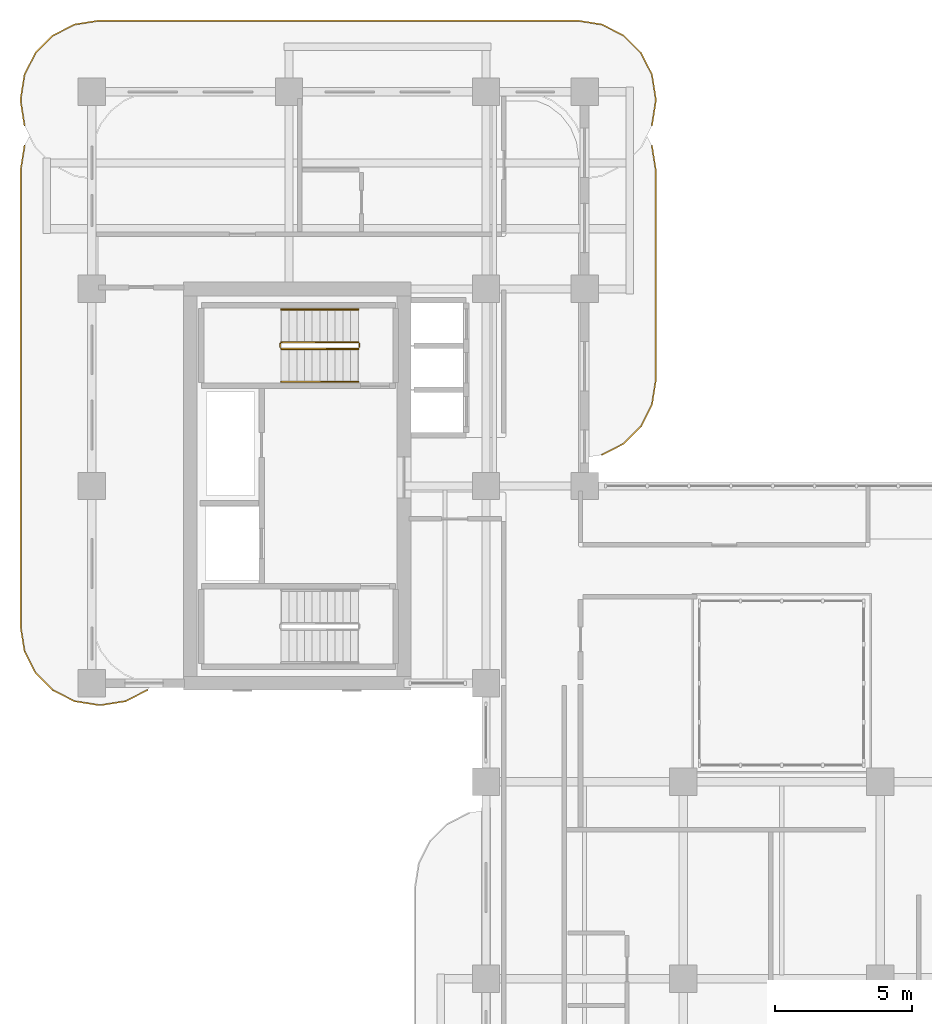
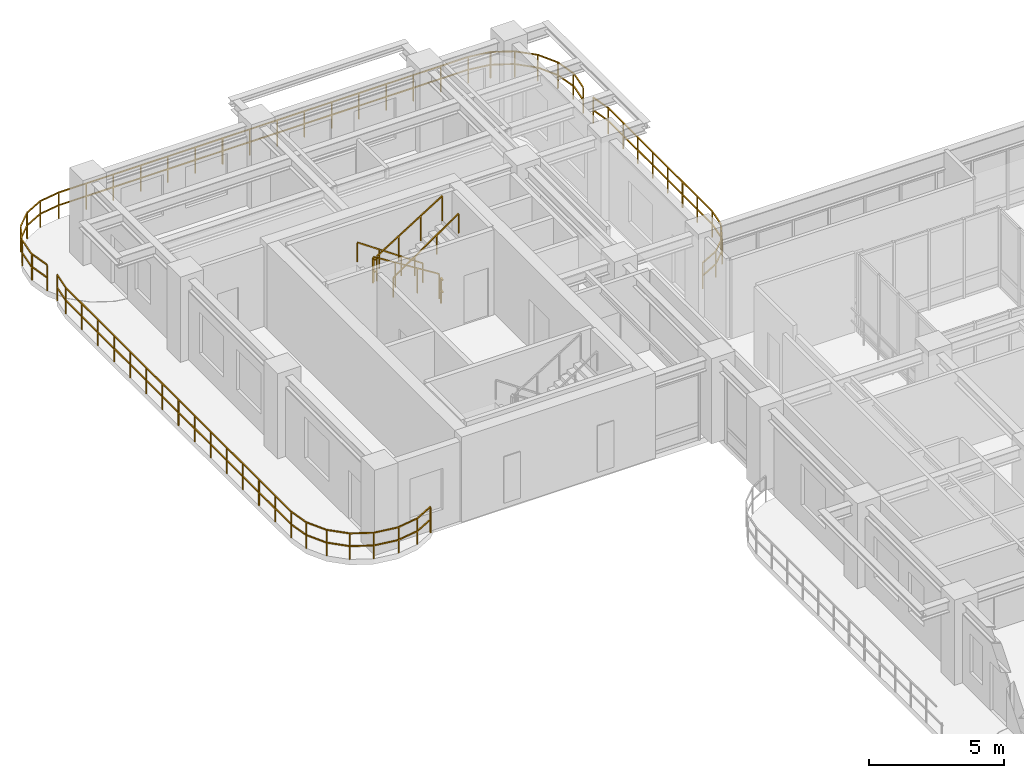
# One storey, part 21 of 21: 9 railings.
"""IFC4 building model written with IfcOpenShell, lengths in metres."""

from ifc_helpers import new_model, si_unit, derived_unit, direction, frame, origin, origin_2d, place, context, subcontext, project, spatial, rectangle, extrude, material, type_object, element, save


model = new_model("IFC4")

# Units and contexts
model_context = context("Model", 3, precision=1e-05, world=origin(), true_north=direction((0.0, 1.0)))
body_context = subcontext(model_context, "Body", "Model", "MODEL_VIEW")
ifc_project = project(units=[si_unit("LENGTHUNIT", "METRE"), si_unit("AREAUNIT", "SQUARE_METRE"), si_unit("VOLUMEUNIT", "CUBIC_METRE"), si_unit("PLANEANGLEUNIT", "RADIAN"), si_unit("MASSUNIT", "GRAM", prefix="KILO"), si_unit("THERMODYNAMICTEMPERATUREUNIT", "KELVIN"), si_unit("POWERUNIT", "WATT"), derived_unit("THERMALTRANSMITTANCEUNIT", [(si_unit("POWERUNIT", "WATT"), 1), (si_unit("AREAUNIT", "SQUARE_METRE"), -1), (si_unit("THERMODYNAMICTEMPERATUREUNIT", "KELVIN"), -1)])], contexts=[model_context])

# Site, building, storey
site_placement = place(None, origin())
site = spatial("IfcSite", under=ifc_project, at=site_placement, CompositionType="ELEMENT")
building_placement = place(site_placement, origin())
building = spatial("IfcBuilding", under=site, at=building_placement, Name="Zahravan Archway Hotel and Residences", CompositionType="ELEMENT")
storey_placement = place(building_placement, frame((0.0, 0.0, 169.550048828125)))
storey = spatial("IfcBuildingStorey", under=building, at=storey_placement, Name="L42", CompositionType="ELEMENT", Elevation=169.550048828125)

# Railings
ifc_material_1 = material(Name="Bronze & Laminated Glass Balustrade", Category="glass")
railing_type_1 = type_object("IfcRailingType", Name="RL-BAL-1200", PredefinedType="BALUSTRADE", material=ifc_material_1)
railing_1_placement = place(storey_placement, frame((-2.46044921875, 45.5693359375, 0.0)))
element("IfcRailing", 1, at=railing_1_placement, inside=storey, type_object=railing_type_1, Name="L42 Balustrade RL-SLB-BAL-L42-NB-1", PredefinedType="BALUSTRADE", context=body_context, shape_type="SweptSolid", body=[
    extrude(rectangle(XDim=0.048095703125, YDim=0.048095703125, at=origin_2d()), frame((0.0, 0.0, 1.17578125), z_axis=(-0.156623399917, 0.987658397726, 0.0), x_axis=(-0.987658397726, -0.156623399917, 0.0)), (0.0, 0.0, 1.0), 0.8916015625),
    extrude(rectangle(XDim=0.048095703125, YDim=0.048095703125, at=origin_2d()), frame((0.0, 0.0, 0.60009765625), z_axis=(-0.156623399917, 0.987658397726, 0.0), x_axis=(-0.987658397726, -0.156623399917, 0.0)), (0.0, 0.0, 1.0), 0.8916015625),
    extrude(rectangle(XDim=0.048095703125, YDim=0.048095703125, at=origin_2d()), frame((-0.1396484375, 0.880615234375, 1.17578125), z_axis=(0.0, 1.0, 0.0), x_axis=(-1.0, 0.0, 0.0)), (0.0, 0.0, 1.0), 0.10009765625),
    extrude(rectangle(XDim=0.048095703125, YDim=0.048095703125, at=origin_2d()), frame((-0.1396484375, 0.880615234375, 0.60009765625), z_axis=(0.0, 1.0, 0.0), x_axis=(-1.0, 0.0, 0.0)), (0.0, 0.0, 1.0), 0.10009765625),
    extrude(rectangle(XDim=0.048095703125, YDim=0.048095703125, at=origin_2d()), frame((-0.1396484375, 0.980712890625, 1.17578125), z_axis=(0.156623399917, 0.987658397726, 0.0), x_axis=(-0.987658397726, 0.156623399917, 0.0)), (0.0, 0.0, 1.0), 0.8916015625),
    extrude(rectangle(XDim=0.048095703125, YDim=0.048095703125, at=origin_2d()), frame((-0.1396484375, 0.980712890625, 0.60009765625), z_axis=(0.156623399917, 0.987658397726, 0.0), x_axis=(-0.987658397726, 0.156623399917, 0.0)), (0.0, 0.0, 1.0), 0.8916015625),
    extrude(rectangle(XDim=0.048095703125, YDim=0.048095703125, at=origin_2d()), frame((0.0, 1.861328125, 1.17578125), z_axis=(0.453991409995, 0.891006060389, 0.0), x_axis=(-0.891006060389, 0.453991409995, 0.0)), (0.0, 0.0, 1.0), 0.8916015625),
    extrude(rectangle(XDim=0.048095703125, YDim=0.048095703125, at=origin_2d()), frame((0.0, 1.861328125, 0.60009765625), z_axis=(0.453991409995, 0.891006060389, 0.0), x_axis=(-0.891006060389, 0.453991409995, 0.0)), (0.0, 0.0, 1.0), 0.8916015625),
    extrude(rectangle(XDim=0.048095703125, YDim=0.048095703125, at=origin_2d()), frame((0.40478515625, 2.65576171875, 1.17578125), z_axis=(0.706969864397, 0.70724367147, 0.0), x_axis=(-0.70724367147, 0.706969864397, 0.0)), (0.0, 0.0, 1.0), 0.8916015625),
    extrude(rectangle(XDim=0.048095703125, YDim=0.048095703125, at=origin_2d()), frame((0.40478515625, 2.65576171875, 0.60009765625), z_axis=(0.706969864397, 0.70724367147, 0.0), x_axis=(-0.70724367147, 0.706969864397, 0.0)), (0.0, 0.0, 1.0), 0.8916015625),
    extrude(rectangle(XDim=0.048095703125, YDim=0.048095703125, at=origin_2d()), frame((1.03515625, 3.286376953125, 1.17578125), z_axis=(0.891062476022, 0.45388067135, 0.0), x_axis=(-0.45388067135, 0.891062476022, 0.0)), (0.0, 0.0, 1.0), 0.891845703125),
    extrude(rectangle(XDim=0.048095703125, YDim=0.048095703125, at=origin_2d()), frame((1.03515625, 3.286376953125, 0.60009765625), z_axis=(0.891062476022, 0.45388067135, 0.0), x_axis=(-0.45388067135, 0.891062476022, 0.0)), (0.0, 0.0, 1.0), 0.891845703125),
    extrude(rectangle(XDim=0.048095703125, YDim=0.048095703125, at=origin_2d()), frame((1.829833984375, 3.691162109375, 1.17578125), z_axis=(0.987700720307, 0.156356282588, 0.0), x_axis=(-0.156356282588, 0.987700720307, 0.0)), (0.0, 0.0, 1.0), 0.8916015625),
    extrude(rectangle(XDim=0.048095703125, YDim=0.048095703125, at=origin_2d()), frame((1.829833984375, 3.691162109375, 0.60009765625), z_axis=(0.987700720307, 0.156356282588, 0.0), x_axis=(-0.156356282588, 0.987700720307, 0.0)), (0.0, 0.0, 1.0), 0.8916015625),
    extrude(rectangle(XDim=0.048095703125, YDim=0.048095703125, at=origin_2d()), frame((2.71044921875, 3.83056640625, 1.17578125), z_axis=(1.0, 0.0, 0.0), x_axis=(0.0, 1.0, 0.0)), (0.0, 0.0, 1.0), 17.5),
    extrude(rectangle(XDim=0.048095703125, YDim=0.048095703125, at=origin_2d()), frame((2.71044921875, 3.83056640625, 0.60009765625), z_axis=(1.0, 0.0, 0.0), x_axis=(0.0, 1.0, 0.0)), (0.0, 0.0, 1.0), 17.5),
    extrude(rectangle(XDim=0.048095703125, YDim=0.048095703125, at=origin_2d()), frame((20.21044921875, 3.83056640625, 1.17578125), z_axis=(0.987700720307, -0.156356282588, 0.0), x_axis=(0.156356282588, 0.987700720307, 0.0)), (0.0, 0.0, 1.0), 0.8916015625),
    extrude(rectangle(XDim=0.048095703125, YDim=0.048095703125, at=origin_2d()), frame((20.21044921875, 3.83056640625, 0.60009765625), z_axis=(0.987700720307, -0.156356282588, 0.0), x_axis=(0.156356282588, 0.987700720307, 0.0)), (0.0, 0.0, 1.0), 0.8916015625),
    extrude(rectangle(XDim=0.048095703125, YDim=0.048095703125, at=origin_2d()), frame((21.091064453125, 3.691162109375, 1.17578125), z_axis=(0.891062476022, -0.45388067135, 0.0), x_axis=(0.45388067135, 0.891062476022, 0.0)), (0.0, 0.0, 1.0), 0.891845703125),
    extrude(rectangle(XDim=0.048095703125, YDim=0.048095703125, at=origin_2d()), frame((21.091064453125, 3.691162109375, 0.60009765625), z_axis=(0.891062476022, -0.45388067135, 0.0), x_axis=(0.45388067135, 0.891062476022, 0.0)), (0.0, 0.0, 1.0), 0.891845703125),
    extrude(rectangle(XDim=0.048095703125, YDim=0.048095703125, at=origin_2d()), frame((21.8857421875, 3.286376953125, 1.17578125), z_axis=(0.706969864397, -0.70724367147, 0.0), x_axis=(0.70724367147, 0.706969864397, 0.0)), (0.0, 0.0, 1.0), 0.8916015625),
    extrude(rectangle(XDim=0.048095703125, YDim=0.048095703125, at=origin_2d()), frame((21.8857421875, 3.286376953125, 0.60009765625), z_axis=(0.706969864397, -0.70724367147, 0.0), x_axis=(0.70724367147, 0.706969864397, 0.0)), (0.0, 0.0, 1.0), 0.8916015625),
    extrude(rectangle(XDim=0.048095703125, YDim=0.048095703125, at=origin_2d()), frame((22.51611328125, 2.65576171875, 1.17578125), z_axis=(0.453991409995, -0.891006060389, 0.0), x_axis=(0.891006060389, 0.453991409995, 0.0)), (0.0, 0.0, 1.0), 0.8916015625),
    extrude(rectangle(XDim=0.048095703125, YDim=0.048095703125, at=origin_2d()), frame((22.51611328125, 2.65576171875, 0.60009765625), z_axis=(0.453991409995, -0.891006060389, 0.0), x_axis=(0.891006060389, 0.453991409995, 0.0)), (0.0, 0.0, 1.0), 0.8916015625),
    extrude(rectangle(XDim=0.048095703125, YDim=0.048095703125, at=origin_2d()), frame((22.9208984375, 1.861328125, 1.17578125), z_axis=(0.156623399917, -0.987658397726, 0.0), x_axis=(0.987658397726, 0.156623399917, 0.0)), (0.0, 0.0, 1.0), 0.8916015625),
    extrude(rectangle(XDim=0.048095703125, YDim=0.048095703125, at=origin_2d()), frame((22.9208984375, 1.861328125, 0.60009765625), z_axis=(0.156623399917, -0.987658397726, 0.0), x_axis=(0.987658397726, 0.156623399917, 0.0)), (0.0, 0.0, 1.0), 0.8916015625),
    extrude(rectangle(XDim=0.048095703125, YDim=0.048095703125, at=origin_2d()), frame((23.060546875, 0.980712890625, 1.17578125), z_axis=(0.0, -1.0, 0.0), x_axis=(1.0, 0.0, 0.0)), (0.0, 0.0, 1.0), 0.10009765625),
    extrude(rectangle(XDim=0.048095703125, YDim=0.048095703125, at=origin_2d()), frame((23.060546875, 0.980712890625, 0.60009765625), z_axis=(0.0, -1.0, 0.0), x_axis=(1.0, 0.0, 0.0)), (0.0, 0.0, 1.0), 0.10009765625),
    extrude(rectangle(XDim=0.048095703125, YDim=0.048095703125, at=origin_2d()), frame((23.060546875, 0.880615234375, 1.17578125), z_axis=(-0.156623399917, -0.987658397726, 0.0), x_axis=(0.987658397726, -0.156623399917, 0.0)), (0.0, 0.0, 1.0), 0.8916015625),
    extrude(rectangle(XDim=0.048095703125, YDim=0.048095703125, at=origin_2d()), frame((23.060546875, 0.880615234375, 0.60009765625), z_axis=(-0.156623399917, -0.987658397726, 0.0), x_axis=(0.987658397726, -0.156623399917, 0.0)), (0.0, 0.0, 1.0), 0.8916015625),
    extrude(rectangle(XDim=0.0419921875, YDim=0.0419921875, at=origin_2d()), origin(), (0.0, 0.0, 1.0), 1.15185546875),
    extrude(rectangle(XDim=0.0419921875, YDim=0.0419921875, at=origin_2d()), frame((-0.1396484375, 0.880615234375, 0.0)), (0.0, 0.0, 1.0), 1.15185546875),
    extrude(rectangle(XDim=0.0419921875, YDim=0.0419921875, at=origin_2d()), frame((0.0, 1.861328125, 0.0)), (0.0, 0.0, 1.0), 1.15185546875),
    extrude(rectangle(XDim=0.0419921875, YDim=0.0419921875, at=origin_2d()), frame((0.40478515625, 2.65576171875, 0.0)), (0.0, 0.0, 1.0), 1.15185546875),
    extrude(rectangle(XDim=0.0419921875, YDim=0.0419921875, at=origin_2d()), frame((1.03515625, 3.286376953125, 0.0)), (0.0, 0.0, 1.0), 1.15185546875),
    extrude(rectangle(XDim=0.0419921875, YDim=0.0419921875, at=origin_2d()), frame((1.829833984375, 3.691162109375, 0.0)), (0.0, 0.0, 1.0), 1.15185546875),
    extrude(rectangle(XDim=0.0419921875, YDim=0.0419921875, at=origin_2d()), frame((2.71044921875, 3.83056640625, 0.0)), (0.0, 0.0, 1.0), 1.15185546875),
    extrude(rectangle(XDim=0.0419921875, YDim=0.0419921875, at=origin_2d()), frame((3.877197265625, 3.83056640625, 0.0)), (0.0, 0.0, 1.0), 1.15185546875),
    extrude(rectangle(XDim=0.0419921875, YDim=0.0419921875, at=origin_2d()), frame((5.043701171875, 3.83056640625, 0.0)), (0.0, 0.0, 1.0), 1.15185546875),
    extrude(rectangle(XDim=0.0419921875, YDim=0.0419921875, at=origin_2d()), frame((6.21044921875, 3.83056640625, 0.0)), (0.0, 0.0, 1.0), 1.15185546875),
    extrude(rectangle(XDim=0.0419921875, YDim=0.0419921875, at=origin_2d()), frame((7.377197265625, 3.83056640625, 0.0)), (0.0, 0.0, 1.0), 1.15185546875),
    extrude(rectangle(XDim=0.0419921875, YDim=0.0419921875, at=origin_2d()), frame((8.543701171875, 3.83056640625, 0.0)), (0.0, 0.0, 1.0), 1.15185546875),
    extrude(rectangle(XDim=0.0419921875, YDim=0.0419921875, at=origin_2d()), frame((9.71044921875, 3.83056640625, 0.0)), (0.0, 0.0, 1.0), 1.15185546875),
    extrude(rectangle(XDim=0.0419921875, YDim=0.0419921875, at=origin_2d()), frame((10.877197265625, 3.83056640625, 0.0)), (0.0, 0.0, 1.0), 1.15185546875),
    extrude(rectangle(XDim=0.0419921875, YDim=0.0419921875, at=origin_2d()), frame((12.043701171875, 3.83056640625, 0.0)), (0.0, 0.0, 1.0), 1.15185546875),
    extrude(rectangle(XDim=0.0419921875, YDim=0.0419921875, at=origin_2d()), frame((13.21044921875, 3.83056640625, 0.0)), (0.0, 0.0, 1.0), 1.15185546875),
    extrude(rectangle(XDim=0.0419921875, YDim=0.0419921875, at=origin_2d()), frame((14.377197265625, 3.83056640625, 0.0)), (0.0, 0.0, 1.0), 1.15185546875),
    extrude(rectangle(XDim=0.0419921875, YDim=0.0419921875, at=origin_2d()), frame((15.543701171875, 3.83056640625, 0.0)), (0.0, 0.0, 1.0), 1.15185546875),
    extrude(rectangle(XDim=0.0419921875, YDim=0.0419921875, at=origin_2d()), frame((16.71044921875, 3.83056640625, 0.0)), (0.0, 0.0, 1.0), 1.15185546875),
    extrude(rectangle(XDim=0.0419921875, YDim=0.0419921875, at=origin_2d()), frame((17.877197265625, 3.83056640625, 0.0)), (0.0, 0.0, 1.0), 1.15185546875),
    extrude(rectangle(XDim=0.0419921875, YDim=0.0419921875, at=origin_2d()), frame((19.043701171875, 3.83056640625, 0.0)), (0.0, 0.0, 1.0), 1.15185546875),
    extrude(rectangle(XDim=0.0419921875, YDim=0.0419921875, at=origin_2d()), frame((20.21044921875, 3.83056640625, 0.0)), (0.0, 0.0, 1.0), 1.15185546875),
    extrude(rectangle(XDim=0.0419921875, YDim=0.0419921875, at=origin_2d()), frame((21.091064453125, 3.691162109375, 0.0)), (0.0, 0.0, 1.0), 1.15185546875),
    extrude(rectangle(XDim=0.0419921875, YDim=0.0419921875, at=origin_2d()), frame((21.8857421875, 3.286376953125, 0.0)), (0.0, 0.0, 1.0), 1.15185546875),
    extrude(rectangle(XDim=0.0419921875, YDim=0.0419921875, at=origin_2d()), frame((22.51611328125, 2.65576171875, 0.0)), (0.0, 0.0, 1.0), 1.15185546875),
    extrude(rectangle(XDim=0.0419921875, YDim=0.0419921875, at=origin_2d()), frame((22.9208984375, 1.861328125, 0.0)), (0.0, 0.0, 1.0), 1.15185546875),
    extrude(rectangle(XDim=0.0419921875, YDim=0.0419921875, at=origin_2d()), frame((23.060546875, 0.980712890625, 0.0)), (0.0, 0.0, 1.0), 1.15185546875),
    extrude(rectangle(XDim=0.0419921875, YDim=0.0419921875, at=origin_2d()), frame((22.9208984375, 0.0, 0.0)), (0.0, 0.0, 1.0), 1.15185546875),
])
railing_2_placement = place(storey_placement, frame((2.025146484375, 24.9443359375, 0.0)))
element("IfcRailing", 2, at=railing_2_placement, inside=storey, type_object=railing_type_1, Name="L42 Balustrade RL-SLB-BAL-L42-WB-1", PredefinedType="BALUSTRADE", context=body_context, shape_type="SweptSolid", body=[
    extrude(rectangle(XDim=0.048095703125, YDim=0.048095703125, at=origin_2d()), frame((0.0, 0.0, 1.17578125), z_axis=(-0.891006060389, -0.453991409995, 0.0), x_axis=(0.453991409995, -0.891006060389, 0.0)), (0.0, 0.0, 1.0), 0.8916015625),
    extrude(rectangle(XDim=0.048095703125, YDim=0.048095703125, at=origin_2d()), frame((0.0, 0.0, 0.60009765625), z_axis=(-0.891006060389, -0.453991409995, 0.0), x_axis=(0.453991409995, -0.891006060389, 0.0)), (0.0, 0.0, 1.0), 0.8916015625),
    extrude(rectangle(XDim=0.048095703125, YDim=0.048095703125, at=origin_2d()), frame((-0.79443359375, -0.40478515625, 1.17578125), z_axis=(-0.987658397726, -0.156623399917, 0.0), x_axis=(0.156623399917, -0.987658397726, 0.0)), (0.0, 0.0, 1.0), 0.8916015625),
    extrude(rectangle(XDim=0.048095703125, YDim=0.048095703125, at=origin_2d()), frame((-0.79443359375, -0.40478515625, 0.60009765625), z_axis=(-0.987658397726, -0.156623399917, 0.0), x_axis=(0.156623399917, -0.987658397726, 0.0)), (0.0, 0.0, 1.0), 0.8916015625),
    extrude(rectangle(XDim=0.048095703125, YDim=0.048095703125, at=origin_2d()), frame((-1.675048828125, -0.54443359375, 1.17578125), z_axis=(-1.0, 0.0, 0.0), x_axis=(0.0, -1.0, 0.0)), (0.0, 0.0, 1.0), 0.10009765625),
    extrude(rectangle(XDim=0.048095703125, YDim=0.048095703125, at=origin_2d()), frame((-1.675048828125, -0.54443359375, 0.60009765625), z_axis=(-1.0, 0.0, 0.0), x_axis=(0.0, -1.0, 0.0)), (0.0, 0.0, 1.0), 0.10009765625),
    extrude(rectangle(XDim=0.048095703125, YDim=0.048095703125, at=origin_2d()), frame((-1.775146484375, -0.54443359375, 1.17578125), z_axis=(-0.987658397726, 0.156623399917, 0.0), x_axis=(-0.156623399917, -0.987658397726, 0.0)), (0.0, 0.0, 1.0), 0.8916015625),
    extrude(rectangle(XDim=0.048095703125, YDim=0.048095703125, at=origin_2d()), frame((-1.775146484375, -0.54443359375, 0.60009765625), z_axis=(-0.987658397726, 0.156623399917, 0.0), x_axis=(-0.156623399917, -0.987658397726, 0.0)), (0.0, 0.0, 1.0), 0.8916015625),
    extrude(rectangle(XDim=0.048095703125, YDim=0.048095703125, at=origin_2d()), frame((-2.65576171875, -0.40478515625, 1.17578125), z_axis=(-0.891062476022, 0.45388067135, 0.0), x_axis=(-0.45388067135, -0.891062476022, 0.0)), (0.0, 0.0, 1.0), 0.891845703125),
    extrude(rectangle(XDim=0.048095703125, YDim=0.048095703125, at=origin_2d()), frame((-2.65576171875, -0.40478515625, 0.60009765625), z_axis=(-0.891062476022, 0.45388067135, 0.0), x_axis=(-0.45388067135, -0.891062476022, 0.0)), (0.0, 0.0, 1.0), 0.891845703125),
    extrude(rectangle(XDim=0.048095703125, YDim=0.048095703125, at=origin_2d()), frame((-3.450439453125, 0.0, 1.17578125), z_axis=(-0.707106781187, 0.707106781187, 0.0), x_axis=(-0.707106781187, -0.707106781187, 0.0)), (0.0, 0.0, 1.0), 0.891357421875),
    extrude(rectangle(XDim=0.048095703125, YDim=0.048095703125, at=origin_2d()), frame((-3.450439453125, 0.0, 0.60009765625), z_axis=(-0.707106781187, 0.707106781187, 0.0), x_axis=(-0.707106781187, -0.707106781187, 0.0)), (0.0, 0.0, 1.0), 0.891357421875),
    extrude(rectangle(XDim=0.048095703125, YDim=0.048095703125, at=origin_2d()), frame((-4.080810546875, 0.63037109375, 1.17578125), z_axis=(-0.45388067135, 0.891062476022, 0.0), x_axis=(-0.891062476022, -0.45388067135, 0.0)), (0.0, 0.0, 1.0), 0.891845703125),
    extrude(rectangle(XDim=0.048095703125, YDim=0.048095703125, at=origin_2d()), frame((-4.080810546875, 0.63037109375, 0.60009765625), z_axis=(-0.45388067135, 0.891062476022, 0.0), x_axis=(-0.891062476022, -0.45388067135, 0.0)), (0.0, 0.0, 1.0), 0.891845703125),
    extrude(rectangle(XDim=0.048095703125, YDim=0.048095703125, at=origin_2d()), frame((-4.485595703125, 1.425048828125, 1.17578125), z_axis=(-0.156623399917, 0.987658397726, 0.0), x_axis=(-0.987658397726, -0.156623399917, 0.0)), (0.0, 0.0, 1.0), 0.8916015625),
    extrude(rectangle(XDim=0.048095703125, YDim=0.048095703125, at=origin_2d()), frame((-4.485595703125, 1.425048828125, 0.60009765625), z_axis=(-0.156623399917, 0.987658397726, 0.0), x_axis=(-0.987658397726, -0.156623399917, 0.0)), (0.0, 0.0, 1.0), 0.8916015625),
    extrude(rectangle(XDim=0.048095703125, YDim=0.048095703125, at=origin_2d()), frame((-4.625244140625, 2.3056640625, 1.17578125), z_axis=(0.0, 1.0, 0.0), x_axis=(-1.0, 0.0, 0.0)), (0.0, 0.0, 1.0), 16.699951171875),
    extrude(rectangle(XDim=0.048095703125, YDim=0.048095703125, at=origin_2d()), frame((-4.625244140625, 2.3056640625, 0.60009765625), z_axis=(0.0, 1.0, 0.0), x_axis=(-1.0, 0.0, 0.0)), (0.0, 0.0, 1.0), 16.699951171875),
    extrude(rectangle(XDim=0.048095703125, YDim=0.048095703125, at=origin_2d()), frame((-4.625244140625, 19.005615234375, 1.17578125), z_axis=(0.156581054338, 0.98766511198, 0.0), x_axis=(-0.98766511198, 0.156581054338, 0.0)), (0.0, 0.0, 1.0), 0.891845703125),
    extrude(rectangle(XDim=0.048095703125, YDim=0.048095703125, at=origin_2d()), frame((-4.625244140625, 19.005615234375, 0.60009765625), z_axis=(0.156581054338, 0.98766511198, 0.0), x_axis=(-0.98766511198, 0.156581054338, 0.0)), (0.0, 0.0, 1.0), 0.891845703125),
    extrude(rectangle(XDim=0.0419921875, YDim=0.0419921875, at=origin_2d()), origin(), (0.0, 0.0, 1.0), 1.15185546875),
    extrude(rectangle(XDim=0.0419921875, YDim=0.0419921875, at=origin_2d()), frame((-0.79443359375, -0.40478515625, 0.0)), (0.0, 0.0, 1.0), 1.15185546875),
    extrude(rectangle(XDim=0.0419921875, YDim=0.0419921875, at=origin_2d()), frame((-1.675048828125, -0.54443359375, 0.0)), (0.0, 0.0, 1.0), 1.15185546875),
    extrude(rectangle(XDim=0.0419921875, YDim=0.0419921875, at=origin_2d()), frame((-2.65576171875, -0.40478515625, 0.0)), (0.0, 0.0, 1.0), 1.15185546875),
    extrude(rectangle(XDim=0.0419921875, YDim=0.0419921875, at=origin_2d()), frame((-3.450439453125, 0.0, 0.0)), (0.0, 0.0, 1.0), 1.15185546875),
    extrude(rectangle(XDim=0.0419921875, YDim=0.0419921875, at=origin_2d()), frame((-4.080810546875, 0.63037109375, 0.0)), (0.0, 0.0, 1.0), 1.15185546875),
    extrude(rectangle(XDim=0.0419921875, YDim=0.0419921875, at=origin_2d()), frame((-4.485595703125, 1.425048828125, 0.0)), (0.0, 0.0, 1.0), 1.15185546875),
    extrude(rectangle(XDim=0.0419921875, YDim=0.0419921875, at=origin_2d()), frame((-4.625244140625, 2.3056640625, 0.0)), (0.0, 0.0, 1.0), 1.15185546875),
    extrude(rectangle(XDim=0.0419921875, YDim=0.0419921875, at=origin_2d()), frame((-4.625244140625, 3.49853515625, 0.0)), (0.0, 0.0, 1.0), 1.15185546875),
    extrude(rectangle(XDim=0.0419921875, YDim=0.0419921875, at=origin_2d()), frame((-4.625244140625, 4.69140625, 0.0)), (0.0, 0.0, 1.0), 1.15185546875),
    extrude(rectangle(XDim=0.0419921875, YDim=0.0419921875, at=origin_2d()), frame((-4.625244140625, 5.88427734375, 0.0)), (0.0, 0.0, 1.0), 1.15185546875),
    extrude(rectangle(XDim=0.0419921875, YDim=0.0419921875, at=origin_2d()), frame((-4.625244140625, 7.0771484375, 0.0)), (0.0, 0.0, 1.0), 1.15185546875),
    extrude(rectangle(XDim=0.0419921875, YDim=0.0419921875, at=origin_2d()), frame((-4.625244140625, 8.27001953125, 0.0)), (0.0, 0.0, 1.0), 1.15185546875),
    extrude(rectangle(XDim=0.0419921875, YDim=0.0419921875, at=origin_2d()), frame((-4.625244140625, 9.462890625, 0.0)), (0.0, 0.0, 1.0), 1.15185546875),
    extrude(rectangle(XDim=0.0419921875, YDim=0.0419921875, at=origin_2d()), frame((-4.625244140625, 10.65576171875, 0.0)), (0.0, 0.0, 1.0), 1.15185546875),
    extrude(rectangle(XDim=0.0419921875, YDim=0.0419921875, at=origin_2d()), frame((-4.625244140625, 11.848388671875, 0.0)), (0.0, 0.0, 1.0), 1.15185546875),
    extrude(rectangle(XDim=0.0419921875, YDim=0.0419921875, at=origin_2d()), frame((-4.625244140625, 13.041259765625, 0.0)), (0.0, 0.0, 1.0), 1.15185546875),
    extrude(rectangle(XDim=0.0419921875, YDim=0.0419921875, at=origin_2d()), frame((-4.625244140625, 14.234130859375, 0.0)), (0.0, 0.0, 1.0), 1.15185546875),
    extrude(rectangle(XDim=0.0419921875, YDim=0.0419921875, at=origin_2d()), frame((-4.625244140625, 15.427001953125, 0.0)), (0.0, 0.0, 1.0), 1.15185546875),
    extrude(rectangle(XDim=0.0419921875, YDim=0.0419921875, at=origin_2d()), frame((-4.625244140625, 16.619873046875, 0.0)), (0.0, 0.0, 1.0), 1.15185546875),
    extrude(rectangle(XDim=0.0419921875, YDim=0.0419921875, at=origin_2d()), frame((-4.625244140625, 17.812744140625, 0.0)), (0.0, 0.0, 1.0), 1.15185546875),
    extrude(rectangle(XDim=0.0419921875, YDim=0.0419921875, at=origin_2d()), frame((-4.625244140625, 19.005615234375, 0.0)), (0.0, 0.0, 1.0), 1.15185546875),
    extrude(rectangle(XDim=0.0419921875, YDim=0.0419921875, at=origin_2d()), frame((-4.485595703125, 19.886474609375, 0.0)), (0.0, 0.0, 1.0), 1.15185546875),
])
railing_3_placement = place(storey_placement, frame((20.46044921875, 44.830810546875, 0.0)))
element("IfcRailing", 3, at=railing_3_placement, inside=storey, type_object=railing_type_1, Name="L42 Balustrade RL-SLB-BAL-L42-EB-1", PredefinedType="BALUSTRADE", context=body_context, shape_type="SweptSolid", body=[
    extrude(rectangle(XDim=0.048095703125, YDim=0.048095703125, at=origin_2d()), frame((0.0, 0.0, 1.17578125), z_axis=(0.156581054338, -0.98766511198, 0.0), x_axis=(0.98766511198, 0.156581054338, 0.0)), (0.0, 0.0, 1.0), 0.891845703125),
    extrude(rectangle(XDim=0.048095703125, YDim=0.048095703125, at=origin_2d()), frame((0.0, 0.0, 0.60009765625), z_axis=(0.156581054338, -0.98766511198, 0.0), x_axis=(0.98766511198, 0.156581054338, 0.0)), (0.0, 0.0, 1.0), 0.891845703125),
    extrude(rectangle(XDim=0.048095703125, YDim=0.048095703125, at=origin_2d()), frame((0.1396484375, -0.880859375, 1.17578125), z_axis=(0.0, -1.0, 0.0), x_axis=(1.0, 0.0, 0.0)), (0.0, 0.0, 1.0), 7.699951171875),
    extrude(rectangle(XDim=0.048095703125, YDim=0.048095703125, at=origin_2d()), frame((0.1396484375, -0.880859375, 0.60009765625), z_axis=(0.0, -1.0, 0.0), x_axis=(1.0, 0.0, 0.0)), (0.0, 0.0, 1.0), 7.699951171875),
    extrude(rectangle(XDim=0.048095703125, YDim=0.048095703125, at=origin_2d()), frame((0.1396484375, -8.580810546875, 1.17578125), z_axis=(-0.156623399917, -0.987658397726, 0.0), x_axis=(0.987658397726, -0.156623399917, 0.0)), (0.0, 0.0, 1.0), 0.8916015625),
    extrude(rectangle(XDim=0.048095703125, YDim=0.048095703125, at=origin_2d()), frame((0.1396484375, -8.580810546875, 0.60009765625), z_axis=(-0.156623399917, -0.987658397726, 0.0), x_axis=(0.987658397726, -0.156623399917, 0.0)), (0.0, 0.0, 1.0), 0.8916015625),
    extrude(rectangle(XDim=0.048095703125, YDim=0.048095703125, at=origin_2d()), frame((0.0, -9.46142578125, 1.17578125), z_axis=(-0.45388067135, -0.891062476022, 0.0), x_axis=(0.891062476022, -0.45388067135, 0.0)), (0.0, 0.0, 1.0), 0.891845703125),
    extrude(rectangle(XDim=0.048095703125, YDim=0.048095703125, at=origin_2d()), frame((0.0, -9.46142578125, 0.60009765625), z_axis=(-0.45388067135, -0.891062476022, 0.0), x_axis=(0.891062476022, -0.45388067135, 0.0)), (0.0, 0.0, 1.0), 0.891845703125),
    extrude(rectangle(XDim=0.048095703125, YDim=0.048095703125, at=origin_2d()), frame((-0.40478515625, -10.256103515625, 1.17578125), z_axis=(-0.707106781187, -0.707106781187, 0.0), x_axis=(0.707106781187, -0.707106781187, 0.0)), (0.0, 0.0, 1.0), 0.891357421875),
    extrude(rectangle(XDim=0.048095703125, YDim=0.048095703125, at=origin_2d()), frame((-0.40478515625, -10.256103515625, 0.60009765625), z_axis=(-0.707106781187, -0.707106781187, 0.0), x_axis=(0.707106781187, -0.707106781187, 0.0)), (0.0, 0.0, 1.0), 0.891357421875),
    extrude(rectangle(XDim=0.048095703125, YDim=0.048095703125, at=origin_2d()), frame((-1.03515625, -10.886474609375, 1.17578125), z_axis=(-0.891062476022, -0.45388067135, 0.0), x_axis=(0.45388067135, -0.891062476022, 0.0)), (0.0, 0.0, 1.0), 0.891845703125),
    extrude(rectangle(XDim=0.048095703125, YDim=0.048095703125, at=origin_2d()), frame((-1.03515625, -10.886474609375, 0.60009765625), z_axis=(-0.891062476022, -0.45388067135, 0.0), x_axis=(0.45388067135, -0.891062476022, 0.0)), (0.0, 0.0, 1.0), 0.891845703125),
    extrude(rectangle(XDim=0.0419921875, YDim=0.0419921875, at=origin_2d()), origin(), (0.0, 0.0, 1.0), 1.15185546875),
    extrude(rectangle(XDim=0.0419921875, YDim=0.0419921875, at=origin_2d()), frame((0.1396484375, -0.880859375, 0.0)), (0.0, 0.0, 1.0), 1.15185546875),
    extrude(rectangle(XDim=0.0419921875, YDim=0.0419921875, at=origin_2d()), frame((0.1396484375, -1.98095703125, 0.0)), (0.0, 0.0, 1.0), 1.15185546875),
    extrude(rectangle(XDim=0.0419921875, YDim=0.0419921875, at=origin_2d()), frame((0.1396484375, -3.080810546875, 0.0)), (0.0, 0.0, 1.0), 1.15185546875),
    extrude(rectangle(XDim=0.0419921875, YDim=0.0419921875, at=origin_2d()), frame((0.1396484375, -4.180908203125, 0.0)), (0.0, 0.0, 1.0), 1.15185546875),
    extrude(rectangle(XDim=0.0419921875, YDim=0.0419921875, at=origin_2d()), frame((0.1396484375, -5.28076171875, 0.0)), (0.0, 0.0, 1.0), 1.15185546875),
    extrude(rectangle(XDim=0.0419921875, YDim=0.0419921875, at=origin_2d()), frame((0.1396484375, -6.380859375, 0.0)), (0.0, 0.0, 1.0), 1.15185546875),
    extrude(rectangle(XDim=0.0419921875, YDim=0.0419921875, at=origin_2d()), frame((0.1396484375, -7.480712890625, 0.0)), (0.0, 0.0, 1.0), 1.15185546875),
    extrude(rectangle(XDim=0.0419921875, YDim=0.0419921875, at=origin_2d()), frame((0.1396484375, -8.580810546875, 0.0)), (0.0, 0.0, 1.0), 1.15185546875),
    extrude(rectangle(XDim=0.0419921875, YDim=0.0419921875, at=origin_2d()), frame((0.0, -9.46142578125, 0.0)), (0.0, 0.0, 1.0), 1.15185546875),
    extrude(rectangle(XDim=0.0419921875, YDim=0.0419921875, at=origin_2d()), frame((-0.40478515625, -10.256103515625, 0.0)), (0.0, 0.0, 1.0), 1.15185546875),
    extrude(rectangle(XDim=0.0419921875, YDim=0.0419921875, at=origin_2d()), frame((-1.03515625, -10.886474609375, 0.0)), (0.0, 0.0, 1.0), 1.15185546875),
    extrude(rectangle(XDim=0.0419921875, YDim=0.0419921875, at=origin_2d()), frame((-1.829833984375, -11.291259765625, 0.0)), (0.0, 0.0, 1.0), 1.15185546875),
])
ifc_material_2 = material(Name="Painted Tubular Steel", Category="steel")
railing_type_2 = type_object("IfcRailingType", Name="RL-STG-1150", PredefinedType="GUARDRAIL", material=ifc_material_2)
railing_4_placement = place(storey_placement, frame((9.72998046875, 37.64990234375, 0.175048828125)))
element("IfcRailing", 4, at=railing_4_placement, inside=storey, type_object=railing_type_2, Name="L42 ST-B2 stair guard 1", PredefinedType="GUARDRAIL", context=body_context, shape_type="SweptSolid", body=[
    extrude(rectangle(XDim=0.048095703125, YDim=0.048095703125, at=origin_2d()), frame((0.0, 0.0, 1.1259765625), z_axis=(-0.848002457836, 0.0, 0.529992293815), x_axis=(0.0, -1.0, 0.0)), (0.0, 0.0, 1.0), 3.302001953125),
    extrude(rectangle(XDim=0.0419921875, YDim=0.0419921875, at=origin_2d()), origin(), (0.0, 0.0, 1.0), 1.101806640625),
    extrude(rectangle(XDim=0.0419921875, YDim=0.0419921875, at=origin_2d()), frame((-0.933349609375, 0.0, 0.583251953125)), (0.0, 0.0, 1.0), 1.101806640625),
    extrude(rectangle(XDim=0.0419921875, YDim=0.0419921875, at=origin_2d()), frame((-1.86669921875, 0.0, 1.166748046875)), (0.0, 0.0, 1.0), 1.101806640625),
    extrude(rectangle(XDim=0.0419921875, YDim=0.0419921875, at=origin_2d()), frame((-2.800048828125, 0.0, 1.75)), (0.0, 0.0, 1.0), 1.101806640625),
])
railing_5_placement = place(storey_placement, frame((6.8798828125, 37.60009765625, 1.925048828125)))
element("IfcRailing", 5, at=railing_5_placement, inside=storey, type_object=railing_type_2, Name="L42 ST-B2 stair guard 2", PredefinedType="GUARDRAIL", context=body_context, shape_type="SweptSolid", body=[
    extrude(rectangle(XDim=0.048095703125, YDim=0.048095703125, at=origin_2d()), frame((0.0, 0.0, 1.1259765625), z_axis=(0.0, -1.0, 0.0), x_axis=(1.0, 0.0, 0.0)), (0.0, 0.0, 1.0), 0.14013671875),
    extrude(rectangle(XDim=0.048095703125, YDim=0.048095703125, at=origin_2d()), frame((0.0, 0.0, 0.574951171875), z_axis=(0.0, -1.0, 0.0), x_axis=(1.0, 0.0, 0.0)), (0.0, 0.0, 1.0), 0.14013671875),
    extrude(rectangle(XDim=0.0419921875, YDim=0.0419921875, at=origin_2d()), origin(), (0.0, 0.0, 1.0), 1.101806640625),
])
railing_6_placement = place(storey_placement, frame((6.929931640625, 37.409912109375, 2.099853515625)))
element("IfcRailing", 6, at=railing_6_placement, inside=storey, type_object=railing_type_2, Name="L42 ST-B2 stair guard 3", PredefinedType="GUARDRAIL", context=body_context, shape_type="SweptSolid", body=[
    extrude(rectangle(XDim=0.048095703125, YDim=0.048095703125, at=origin_2d()), frame((0.0, 0.0, 1.1259765625), z_axis=(0.848002457836, 0.0, 0.529992293815), x_axis=(0.0, 1.0, 0.0)), (0.0, 0.0, 1.0), 3.302001953125),
    extrude(rectangle(XDim=0.0419921875, YDim=0.0419921875, at=origin_2d()), origin(), (0.0, 0.0, 1.0), 1.101806640625),
    extrude(rectangle(XDim=0.0419921875, YDim=0.0419921875, at=origin_2d()), frame((0.933349609375, 0.0, 0.583251953125)), (0.0, 0.0, 1.0), 1.101806640625),
    extrude(rectangle(XDim=0.0419921875, YDim=0.0419921875, at=origin_2d()), frame((1.86669921875, 0.0, 1.166748046875)), (0.0, 0.0, 1.0), 1.101806640625),
    extrude(rectangle(XDim=0.0419921875, YDim=0.0419921875, at=origin_2d()), frame((2.800048828125, 0.0, 1.75)), (0.0, 0.0, 1.0), 1.101806640625),
])
railing_7_placement = place(storey_placement, frame((9.780029296875, 37.60009765625, 0.0)))
element("IfcRailing", 7, at=railing_7_placement, inside=storey, type_object=railing_type_2, Name="L42 ST-B2 stair guard 4", PredefinedType="GUARDRAIL", context=body_context, shape_type="SweptSolid", body=[
    extrude(rectangle(XDim=0.048095703125, YDim=0.048095703125, at=origin_2d()), frame((0.0, 0.0, 1.1259765625), z_axis=(0.0, -1.0, 0.0), x_axis=(1.0, 0.0, 0.0)), (0.0, 0.0, 1.0), 0.14013671875),
    extrude(rectangle(XDim=0.048095703125, YDim=0.048095703125, at=origin_2d()), frame((0.0, 0.0, 0.574951171875), z_axis=(0.0, -1.0, 0.0), x_axis=(1.0, 0.0, 0.0)), (0.0, 0.0, 1.0), 0.14013671875),
    extrude(rectangle(XDim=0.0419921875, YDim=0.0419921875, at=origin_2d()), origin(), (0.0, 0.0, 1.0), 1.101806640625),
])
ifc_material_3 = material(Name="Brushed Stainless Steel", Category="steel")
railing_type_3 = type_object("IfcRailingType", Name="RL-STH-900", PredefinedType="HANDRAIL", material=ifc_material_3)
railing_8_placement = place(storey_placement, frame((9.72998046875, 38.85009765625, 0.175048828125)))
element("IfcRailing", 8, at=railing_8_placement, inside=storey, type_object=railing_type_3, Name="L42 ST-B2 stair handrail 1", PredefinedType="HANDRAIL", context=body_context, shape_type="SweptSolid", body=[
    extrude(rectangle(XDim=0.048095703125, YDim=0.048095703125, at=origin_2d()), frame((0.0, 0.0, 0.8759765625), z_axis=(-0.824073370198, 0.0, 0.566483080534), x_axis=(0.0, -1.0, 0.0)), (0.0, 0.0, 1.0), 3.397705078125),
    extrude(rectangle(XDim=0.0419921875, YDim=0.0419921875, at=origin_2d()), origin(), (0.0, 0.0, 1.0), 0.851806640625),
    extrude(rectangle(XDim=0.0419921875, YDim=0.0419921875, at=origin_2d()), frame((-0.933349609375, 0.0, 0.6416015625)), (0.0, 0.0, 1.0), 0.851806640625),
    extrude(rectangle(XDim=0.0419921875, YDim=0.0419921875, at=origin_2d()), frame((-1.86669921875, 0.0, 1.283203125)), (0.0, 0.0, 1.0), 0.851806640625),
    extrude(rectangle(XDim=0.0419921875, YDim=0.0419921875, at=origin_2d()), frame((-2.800048828125, 0.0, 1.9248046875)), (0.0, 0.0, 1.0), 0.851806640625),
])
railing_9_placement = place(storey_placement, frame((6.929931640625, 36.2099609375, 2.099853515625)))
element("IfcRailing", 9, at=railing_9_placement, inside=storey, type_object=railing_type_3, Name="L42 ST-B2 stair handrail 2", PredefinedType="HANDRAIL", context=body_context, shape_type="SweptSolid", body=[
    extrude(rectangle(XDim=0.048095703125, YDim=0.048095703125, at=origin_2d()), frame((0.0, 0.0, 0.8759765625), z_axis=(0.824039827795, 0.0, 0.566531872191), x_axis=(0.0, 1.0, 0.0)), (0.0, 0.0, 1.0), 3.39794921875),
    extrude(rectangle(XDim=0.0419921875, YDim=0.0419921875, at=origin_2d()), origin(), (0.0, 0.0, 1.0), 0.851806640625),
    extrude(rectangle(XDim=0.0419921875, YDim=0.0419921875, at=origin_2d()), frame((0.933349609375, 0.0, 0.6416015625)), (0.0, 0.0, 1.0), 0.851806640625),
    extrude(rectangle(XDim=0.0419921875, YDim=0.0419921875, at=origin_2d()), frame((1.86669921875, 0.0, 1.283447265625)), (0.0, 0.0, 1.0), 0.851806640625),
    extrude(rectangle(XDim=0.0419921875, YDim=0.0419921875, at=origin_2d()), frame((2.800048828125, 0.0, 1.925048828125)), (0.0, 0.0, 1.0), 0.851806640625),
])

save(model, "model.ifc")
